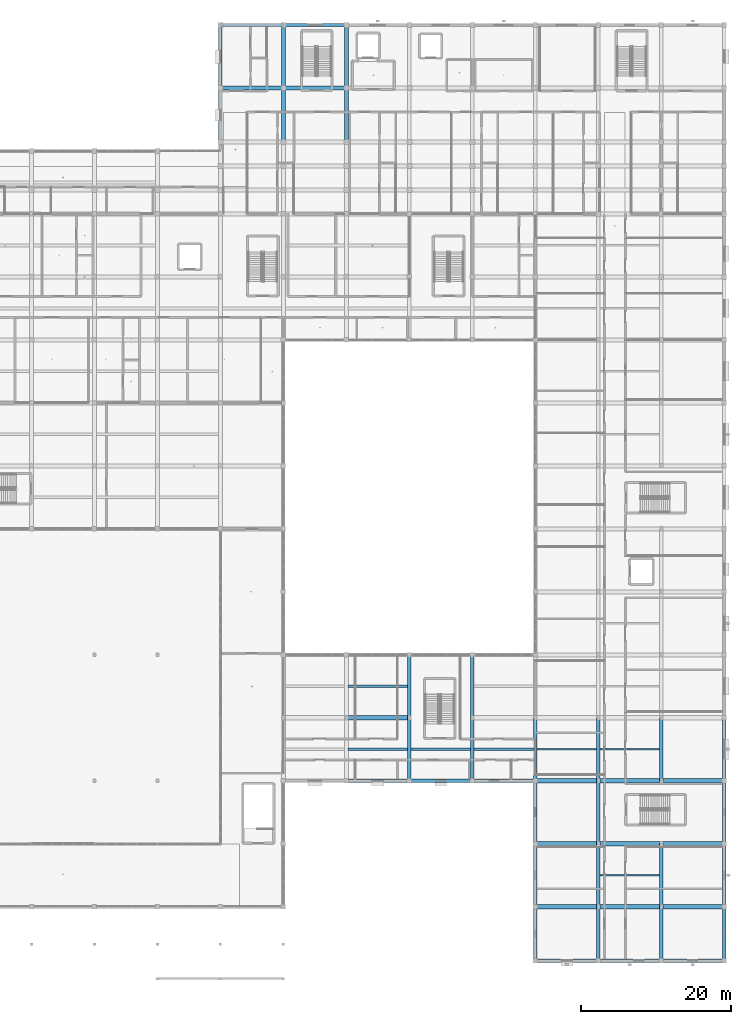
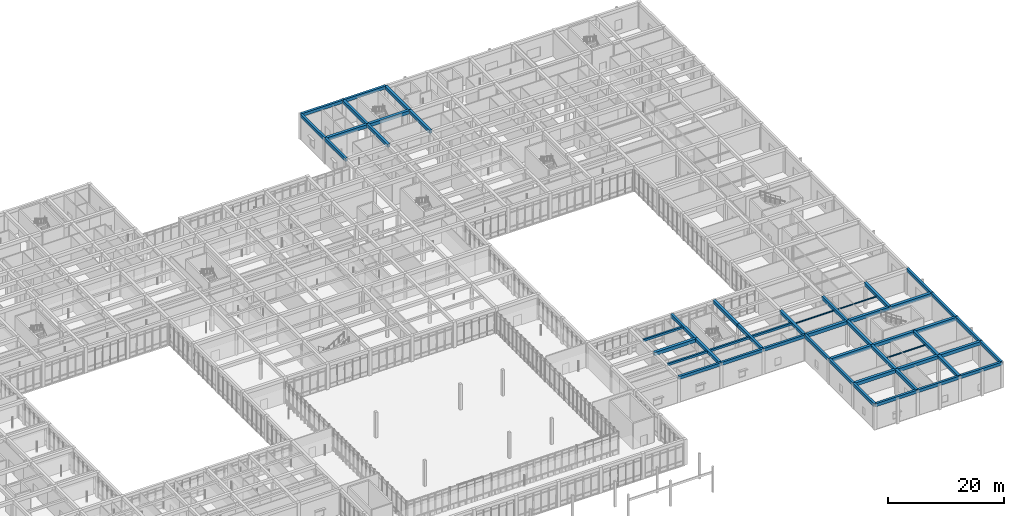
# One storey, part 45 of 157: 52 beams.
"""IFC4 building model written with IfcOpenShell, lengths in metres."""

from ifc_helpers import new_model, si_unit, direction, frame, origin, origin_2d, place, context, subcontext, project, spatial, rectangle, i_section, extrude, material, material_profile, profile_set, type_object, element, save


model = new_model("IFC4")

# Units and contexts
model_context = context("Model", 3, precision=1e-05, world=origin(), true_north=direction((0.0, 1.0)))
body_context = subcontext(model_context, "Body", "Model", "MODEL_VIEW")
ifc_project = project(units=[si_unit("LENGTHUNIT", "METRE"), si_unit("AREAUNIT", "SQUARE_METRE"), si_unit("VOLUMEUNIT", "CUBIC_METRE"), si_unit("PLANEANGLEUNIT", "RADIAN"), si_unit("MASSUNIT", "GRAM", prefix="KILO")], contexts=[model_context])

# Site, building, storey
site_placement = place(None, origin())
site = spatial("IfcSite", under=ifc_project, at=site_placement, CompositionType="ELEMENT")
building_placement = place(site_placement, origin())
building = spatial("IfcBuilding", under=site, at=building_placement, Name="Varncliffe General Hospital", CompositionType="ELEMENT")
storey_placement = place(building_placement, frame((0.0, 0.0, 5.39990234375)))
storey = spatial("IfcBuildingStorey", under=building, at=storey_placement, Name="L01", CompositionType="ELEMENT", Elevation=5.39990234375)

# Beams
ifc_material_1 = material(Name="Concrete C35/45 (CSA A23.1 35 MPa)", Category="concrete")
ifc_material_profile_1 = material_profile(ifc_material_1, rectangle(XDim=0.5, YDim=0.64990234375, at=origin_2d()), Name="RC 500x650")
ifc_profile_set_1 = profile_set([ifc_material_profile_1], Name="Concrete C35/45 (CSA A23.1 35 MPa)")
beam_type_1 = type_object("IfcBeamType", Name="Beam B29 (Int RC 500x650)", PredefinedType="BEAM", material=ifc_profile_set_1)
beam_1_placement = place(storey_placement, frame((117.60009765625, 109.199951171875, 5.0751953125), z_axis=(0.0, 1.0, 0.0), x_axis=(-1.0, 0.0, 0.0)))
element("IfcBeam", 1, at=beam_1_placement, inside=storey, type_object=beam_type_1, Name="L01 Primary Beam B29-431", PredefinedType="BEAM", context=body_context, shape_type="SweptSolid", body=[
    extrude(rectangle(XDim=0.5, YDim=0.64990234375, at=origin_2d()), origin(), (0.0, 0.0, 1.0), 7.199951171875),
])
beam_2_placement = place(storey_placement, frame((117.60009765625, 116.39990234375, 5.0751953125), z_axis=(0.0, 1.0, 0.0), x_axis=(-1.0, 0.0, 0.0)))
element("IfcBeam", 2, at=beam_2_placement, inside=storey, type_object=beam_type_1, Name="L01 Primary Beam B29-432", PredefinedType="BEAM", context=body_context, shape_type="SweptSolid", body=[
    extrude(rectangle(XDim=0.5, YDim=0.64990234375, at=origin_2d()), origin(), (0.0, 0.0, 1.0), 8.400146484375),
])
beam_3_placement = place(storey_placement, frame((126.0, 109.199951171875, 5.0751953125), z_axis=(0.0, 1.0, 0.0), x_axis=(-1.0, 0.0, 0.0)))
element("IfcBeam", 3, at=beam_3_placement, inside=storey, type_object=beam_type_1, Name="L01 Primary Beam B29-440", PredefinedType="BEAM", context=body_context, shape_type="SweptSolid", body=[
    extrude(rectangle(XDim=0.5, YDim=0.64990234375, at=origin_2d()), origin(), (0.0, 0.0, 1.0), 7.199951171875),
])
beam_4_placement = place(storey_placement, frame((126.0, 116.39990234375, 5.0751953125), z_axis=(0.0, 1.0, 0.0), x_axis=(-1.0, 0.0, 0.0)))
element("IfcBeam", 4, at=beam_4_placement, inside=storey, type_object=beam_type_1, Name="L01 Primary Beam B29-441", PredefinedType="BEAM", context=body_context, shape_type="SweptSolid", body=[
    extrude(rectangle(XDim=0.5, YDim=0.64990234375, at=origin_2d()), origin(), (0.0, 0.0, 1.0), 8.400146484375),
])
beam_5_placement = place(storey_placement, frame((134.39990234375, 24.0, 5.0751953125), z_axis=(0.0, 1.0, 0.0), x_axis=(-1.0, 0.0, 0.0)))
element("IfcBeam", 5, at=beam_5_placement, inside=storey, type_object=beam_type_1, Name="L01 Primary Beam B29-442", PredefinedType="BEAM", context=body_context, shape_type="SweptSolid", body=[
    extrude(rectangle(XDim=0.5, YDim=0.64990234375, at=origin_2d()), origin(), (0.0, 0.0, 1.0), 8.39990234375),
])
beam_6_placement = place(storey_placement, frame((134.39990234375, 32.39990234375, 5.0751953125), z_axis=(0.0, 1.0, 0.0), x_axis=(-1.0, 0.0, 0.0)))
element("IfcBeam", 6, at=beam_6_placement, inside=storey, type_object=beam_type_1, Name="L01 Primary Beam B29-443", PredefinedType="BEAM", context=body_context, shape_type="SweptSolid", body=[
    extrude(rectangle(XDim=0.5, YDim=0.64990234375, at=origin_2d()), origin(), (0.0, 0.0, 1.0), 8.400146484375),
])
beam_7_placement = place(storey_placement, frame((142.800048828125, 24.0, 5.0751953125), z_axis=(0.0, 1.0, 0.0), x_axis=(-1.0, 0.0, 0.0)))
element("IfcBeam", 7, at=beam_7_placement, inside=storey, type_object=beam_type_1, Name="L01 Primary Beam B29-451", PredefinedType="BEAM", context=body_context, shape_type="SweptSolid", body=[
    extrude(rectangle(XDim=0.5, YDim=0.64990234375, at=origin_2d()), origin(), (0.0, 0.0, 1.0), 8.39990234375),
])
beam_8_placement = place(storey_placement, frame((142.800048828125, 32.39990234375, 5.0751953125), z_axis=(0.0, 1.0, 0.0), x_axis=(-1.0, 0.0, 0.0)))
element("IfcBeam", 8, at=beam_8_placement, inside=storey, type_object=beam_type_1, Name="L01 Primary Beam B29-452", PredefinedType="BEAM", context=body_context, shape_type="SweptSolid", body=[
    extrude(rectangle(XDim=0.5, YDim=0.64990234375, at=origin_2d()), origin(), (0.0, 0.0, 1.0), 8.400146484375),
])
beam_9_placement = place(storey_placement, frame((151.199951171875, 24.0, 5.0751953125), z_axis=(0.0, 1.0, 0.0), x_axis=(-1.0, 0.0, 0.0)))
element("IfcBeam", 9, at=beam_9_placement, inside=storey, type_object=beam_type_1, Name="L01 Primary Beam B29-463", PredefinedType="BEAM", context=body_context, shape_type="SweptSolid", body=[
    extrude(rectangle(XDim=0.5, YDim=0.64990234375, at=origin_2d()), origin(), (0.0, 0.0, 1.0), 8.39990234375),
])
beam_10_placement = place(storey_placement, frame((159.60009765625, 0.0, 5.0751953125), z_axis=(0.0, 1.0, 0.0), x_axis=(-1.0, 0.0, 0.0)))
element("IfcBeam", 10, at=beam_10_placement, inside=storey, type_object=beam_type_1, Name="L01 Primary Beam B29-477", PredefinedType="BEAM", context=body_context, shape_type="SweptSolid", body=[
    extrude(rectangle(XDim=0.5, YDim=0.64990234375, at=origin_2d()), origin(), (0.0, 0.0, 1.0), 7.199951171875),
])
beam_11_placement = place(storey_placement, frame((159.60009765625, 7.199951171875, 5.0751953125), z_axis=(0.0, 1.0, 0.0), x_axis=(-1.0, 0.0, 0.0)))
element("IfcBeam", 11, at=beam_11_placement, inside=storey, type_object=beam_type_1, Name="L01 Primary Beam B29-478", PredefinedType="BEAM", context=body_context, shape_type="SweptSolid", body=[
    extrude(rectangle(XDim=0.5, YDim=0.64990234375, at=origin_2d()), origin(), (0.0, 0.0, 1.0), 8.400146484375),
])
for number, where, z_axis, x_axis, name in (
    (12, (159.60009765625, 15.60009765625, 5.0751953125), (0.0, 1.0, 0.0), (-1.0, 0.0, 0.0), "L01 Primary Beam B29-479"),
    (13, (159.60009765625, 24.0, 5.0751953125), (0.0, 1.0, 0.0), (-1.0, 0.0, 0.0), "L01 Primary Beam B29-480"),
):
    element("IfcBeam", number, at=place(storey_placement, frame(where, z_axis=z_axis, x_axis=x_axis)), inside=storey, type_object=beam_type_1, Name=name, PredefinedType="BEAM", context=body_context, shape_type="SweptSolid", body=[
        extrude(rectangle(XDim=0.5, YDim=0.64990234375, at=origin_2d()), origin(), (0.0, 0.0, 1.0), 8.39990234375),
    ])
beam_12_placement = place(storey_placement, frame((168.0, 0.0, 5.0751953125), z_axis=(0.0, 1.0, 0.0), x_axis=(-1.0, 0.0, 0.0)))
element("IfcBeam", 14, at=beam_12_placement, inside=storey, type_object=beam_type_1, Name="L01 Primary Beam B29-494", PredefinedType="BEAM", context=body_context, shape_type="SweptSolid", body=[
    extrude(rectangle(XDim=0.5, YDim=0.64990234375, at=origin_2d()), origin(), (0.0, 0.0, 1.0), 7.199951171875),
])
beam_13_placement = place(storey_placement, frame((168.0, 7.199951171875, 5.0751953125), z_axis=(0.0, 1.0, 0.0), x_axis=(-1.0, 0.0, 0.0)))
element("IfcBeam", 15, at=beam_13_placement, inside=storey, type_object=beam_type_1, Name="L01 Primary Beam B29-495", PredefinedType="BEAM", context=body_context, shape_type="SweptSolid", body=[
    extrude(rectangle(XDim=0.5, YDim=0.64990234375, at=origin_2d()), origin(), (0.0, 0.0, 1.0), 8.400146484375),
])
beam_14_placement = place(storey_placement, frame((168.0, 24.0, 5.0751953125), z_axis=(0.0, 1.0, 0.0), x_axis=(-1.0, 0.0, 0.0)))
element("IfcBeam", 16, at=beam_14_placement, inside=storey, type_object=beam_type_1, Name="L01 Primary Beam B29-496", PredefinedType="BEAM", context=body_context, shape_type="SweptSolid", body=[
    extrude(rectangle(XDim=0.5, YDim=0.64990234375, at=origin_2d()), origin(), (0.0, 0.0, 1.0), 8.39990234375),
])
ifc_material_profile_2 = material_profile(ifc_material_1, rectangle(XDim=0.550048828125, YDim=0.699951171875, at=origin_2d()), Name="RC 550x700")
ifc_profile_set_2 = profile_set([ifc_material_profile_2], Name="Concrete C35/45 (CSA A23.1 35 MPa)")
beam_type_2 = type_object("IfcBeamType", Name="Beam B35 (Int RC 550x700)", PredefinedType="BEAM", material=ifc_profile_set_2)
beam_15_placement = place(storey_placement, frame((151.199951171875, 7.199951171875, 5.050048828125), z_axis=(1.0, 0.0, 0.0), x_axis=(0.0, 1.0, 0.0)))
element("IfcBeam", 17, at=beam_15_placement, inside=storey, type_object=beam_type_2, Name="L01 Primary Beam B35-17", PredefinedType="BEAM", context=body_context, shape_type="SweptSolid", body=[
    extrude(rectangle(XDim=0.550048828125, YDim=0.699951171875, at=origin_2d()), origin(), (0.0, 0.0, 1.0), 8.400146484375),
])
for number, where, z_axis, x_axis, name in (
    (18, (159.60009765625, 7.199951171875, 5.050048828125), (1.0, 0.0, 0.0), (0.0, 1.0, 0.0), "L01 Primary Beam B35-18"),
    (19, (168.0, 7.199951171875, 5.050048828125), (1.0, 0.0, 0.0), (0.0, 1.0, 0.0), "L01 Primary Beam B35-19"),
):
    element("IfcBeam", number, at=place(storey_placement, frame(where, z_axis=z_axis, x_axis=x_axis)), inside=storey, type_object=beam_type_2, Name=name, PredefinedType="BEAM", context=body_context, shape_type="SweptSolid", body=[
        extrude(rectangle(XDim=0.550048828125, YDim=0.699951171875, at=origin_2d()), origin(), (0.0, 0.0, 1.0), 8.39990234375),
    ])
beam_16_placement = place(storey_placement, frame((151.199951171875, 15.60009765625, 5.050048828125), z_axis=(1.0, 0.0, 0.0), x_axis=(0.0, 1.0, 0.0)))
element("IfcBeam", 20, at=beam_16_placement, inside=storey, type_object=beam_type_2, Name="L01 Primary Beam B35-23", PredefinedType="BEAM", context=body_context, shape_type="SweptSolid", body=[
    extrude(rectangle(XDim=0.550048828125, YDim=0.699951171875, at=origin_2d()), origin(), (0.0, 0.0, 1.0), 8.400146484375),
])
for number, where, z_axis, x_axis, name in (
    (21, (159.60009765625, 15.60009765625, 5.050048828125), (1.0, 0.0, 0.0), (0.0, 1.0, 0.0), "L01 Primary Beam B35-24"),
    (22, (168.0, 15.60009765625, 5.050048828125), (1.0, 0.0, 0.0), (0.0, 1.0, 0.0), "L01 Primary Beam B35-25"),
):
    element("IfcBeam", number, at=place(storey_placement, frame(where, z_axis=z_axis, x_axis=x_axis)), inside=storey, type_object=beam_type_2, Name=name, PredefinedType="BEAM", context=body_context, shape_type="SweptSolid", body=[
        extrude(rectangle(XDim=0.550048828125, YDim=0.699951171875, at=origin_2d()), origin(), (0.0, 0.0, 1.0), 8.39990234375),
    ])
beam_17_placement = place(storey_placement, frame((151.199951171875, 24.0, 5.050048828125), z_axis=(1.0, 0.0, 0.0), x_axis=(0.0, 1.0, 0.0)))
element("IfcBeam", 23, at=beam_17_placement, inside=storey, type_object=beam_type_2, Name="L01 Primary Beam B35-37", PredefinedType="BEAM", context=body_context, shape_type="SweptSolid", body=[
    extrude(rectangle(XDim=0.550048828125, YDim=0.699951171875, at=origin_2d()), origin(), (0.0, 0.0, 1.0), 8.400146484375),
])
for number, where, z_axis, x_axis, name in (
    (24, (159.60009765625, 24.0, 5.050048828125), (1.0, 0.0, 0.0), (0.0, 1.0, 0.0), "L01 Primary Beam B35-38"),
    (25, (168.0, 24.0, 5.050048828125), (1.0, 0.0, 0.0), (0.0, 1.0, 0.0), "L01 Primary Beam B35-39"),
    (26, (126.0, 32.39990234375, 5.050048828125), (1.0, 0.0, 0.0), (0.0, 1.0, 0.0), "L01 Primary Beam B35-48"),
):
    element("IfcBeam", number, at=place(storey_placement, frame(where, z_axis=z_axis, x_axis=x_axis)), inside=storey, type_object=beam_type_2, Name=name, PredefinedType="BEAM", context=body_context, shape_type="SweptSolid", body=[
        extrude(rectangle(XDim=0.550048828125, YDim=0.699951171875, at=origin_2d()), origin(), (0.0, 0.0, 1.0), 8.39990234375),
    ])
beam_18_placement = place(storey_placement, frame((109.199951171875, 116.39990234375, 5.050048828125), z_axis=(1.0, 0.0, 0.0), x_axis=(0.0, 1.0, 0.0)))
element("IfcBeam", 27, at=beam_18_placement, inside=storey, type_object=beam_type_2, Name="L01 Primary Beam B35-235", PredefinedType="BEAM", context=body_context, shape_type="SweptSolid", body=[
    extrude(rectangle(XDim=0.550048828125, YDim=0.699951171875, at=origin_2d()), origin(), (0.0, 0.0, 1.0), 8.400146484375),
])
beam_19_placement = place(storey_placement, frame((117.60009765625, 116.39990234375, 5.050048828125), z_axis=(1.0, 0.0, 0.0), x_axis=(0.0, 1.0, 0.0)))
element("IfcBeam", 28, at=beam_19_placement, inside=storey, type_object=beam_type_2, Name="L01 Primary Beam B35-236", PredefinedType="BEAM", context=body_context, shape_type="SweptSolid", body=[
    extrude(rectangle(XDim=0.550048828125, YDim=0.699951171875, at=origin_2d()), origin(), (0.0, 0.0, 1.0), 8.39990234375),
])
ifc_material_2 = material(Name="Steel S355 (CSA G40.21 350W)", Category="steel")
ifc_material_profile_3 = material_profile(ifc_material_2, i_section(OverallWidth=0.2041015625, OverallDepth=0.2060546875, WebThickness=0.0078125, FlangeThickness=0.0126953125, FilletRadius=0.010986328125, at=origin_2d()), Name="W200x52")
ifc_profile_set_3 = profile_set([ifc_material_profile_3], Name="Steel S355 (CSA G40.21 350W)")
beam_type_3 = type_object("IfcBeamType", Name="Joist J27 (Int W200x52)", PredefinedType="JOIST", material=ifc_profile_set_3)
for number, where, z_axis, x_axis, name in (
    (29, (151.447998046875, 28.199951171875, 4.93701171875), (1.0, 0.0, 0.0), (0.0, 1.0, 0.0), "L01 Secondary Floor Rib J27-72"),
    (30, (159.847900390625, 11.39990234375, 4.93701171875), (1.0, 0.0, 0.0), (0.0, 1.0, 0.0), "L01 Secondary Floor Rib J27-76"),
    (31, (159.847900390625, 28.199951171875, 4.93701171875), (1.0, 0.0, 0.0), (0.0, 1.0, 0.0), "L01 Secondary Floor Rib J27-77"),
):
    element("IfcBeam", number, at=place(storey_placement, frame(where, z_axis=z_axis, x_axis=x_axis)), inside=storey, type_object=beam_type_3, Name=name, PredefinedType="JOIST", context=body_context, shape_type="SweptSolid", body=[
        extrude(i_section(OverallWidth=0.2041015625, OverallDepth=0.2060546875, WebThickness=0.0078125, FlangeThickness=0.0126953125, FilletRadius=0.010986328125, at=origin_2d()), origin(), (0.0, 0.0, 1.0), 7.904052734375),
    ])
ifc_material_profile_4 = material_profile(ifc_material_1, rectangle(XDim=0.35009765625, YDim=0.449951171875, at=origin_2d()), Name="RC 350x450")
ifc_profile_set_4 = profile_set([ifc_material_profile_4], Name="Concrete C35/45 (CSA A23.1 35 MPa)")
beam_type_4 = type_object("IfcBeamType", Name="Joist J55 (Int RC 350x450)", PredefinedType="JOIST", material=ifc_profile_set_4)
for number, where, z_axis, x_axis, name in (
    (32, (126.248046875, 28.199951171875, 5.175048828125), (1.0, 0.0, 0.0), (0.0, 1.0, 0.0), "L01 Secondary Floor Rib J55-62"),
    (33, (126.248046875, 36.60009765625, 5.175048828125), (1.0, 0.0, 0.0), (0.0, 1.0, 0.0), "L01 Secondary Floor Rib J55-63"),
    (34, (134.64794921875, 28.199951171875, 5.175048828125), (1.0, 0.0, 0.0), (0.0, 1.0, 0.0), "L01 Secondary Floor Rib J55-66"),
):
    element("IfcBeam", number, at=place(storey_placement, frame(where, z_axis=z_axis, x_axis=x_axis)), inside=storey, type_object=beam_type_4, Name=name, PredefinedType="JOIST", context=body_context, shape_type="SweptSolid", body=[
        extrude(rectangle(XDim=0.35009765625, YDim=0.449951171875, at=origin_2d()), origin(), (0.0, 0.0, 1.0), 7.904052734375),
    ])
beam_20_placement = place(storey_placement, frame((143.048095703125, 28.199951171875, 5.175048828125), z_axis=(1.0, 0.0, 0.0), x_axis=(0.0, 1.0, 0.0)))
element("IfcBeam", 35, at=beam_20_placement, inside=storey, type_object=beam_type_4, Name="L01 Secondary Floor Rib J55-68", PredefinedType="JOIST", context=body_context, shape_type="SweptSolid", body=[
    extrude(rectangle(XDim=0.35009765625, YDim=0.449951171875, at=origin_2d()), origin(), (0.0, 0.0, 1.0), 7.90380859375),
])
ifc_material_profile_5 = material_profile(ifc_material_1, rectangle(XDim=0.449951171875, YDim=0.64990234375, at=origin_2d()), Name="RC 450x650")
ifc_profile_set_5 = profile_set([ifc_material_profile_5], Name="Concrete C35/45 (CSA A23.1 35 MPa)")
beam_type_5 = type_object("IfcBeamType", Name="Spandrel SP38 (Ext RC 450x650B)", PredefinedType="SPANDREL", material=ifc_profile_set_5)
beam_21_placement = place(storey_placement, frame((151.199951171875, 0.0, 5.0751953125), z_axis=(1.0, 0.0, 0.0), x_axis=(0.0, 1.0, 0.0)))
element("IfcBeam", 36, at=beam_21_placement, inside=storey, type_object=beam_type_5, Name="L01 Spandrel Beam SP38-4", PredefinedType="SPANDREL", context=body_context, shape_type="SweptSolid", body=[
    extrude(rectangle(XDim=0.449951171875, YDim=0.64990234375, at=origin_2d()), origin(), (0.0, 0.0, 1.0), 8.400146484375),
])
for number, where, z_axis, x_axis, name in (
    (37, (159.60009765625, 0.0, 5.0751953125), (1.0, 0.0, 0.0), (0.0, 1.0, 0.0), "L01 Spandrel Beam SP38-5"),
    (38, (168.0, 0.0, 5.0751953125), (1.0, 0.0, 0.0), (0.0, 1.0, 0.0), "L01 Spandrel Beam SP38-6"),
    (39, (126.0, 24.0, 5.0751953125), (1.0, 0.0, 0.0), (0.0, 1.0, 0.0), "L01 Spandrel Beam SP38-34"),
):
    element("IfcBeam", number, at=place(storey_placement, frame(where, z_axis=z_axis, x_axis=x_axis)), inside=storey, type_object=beam_type_5, Name=name, PredefinedType="SPANDREL", context=body_context, shape_type="SweptSolid", body=[
        extrude(rectangle(XDim=0.449951171875, YDim=0.64990234375, at=origin_2d()), origin(), (0.0, 0.0, 1.0), 8.39990234375),
    ])
beam_22_placement = place(storey_placement, frame((134.39990234375, 24.0, 5.0751953125), z_axis=(1.0, 0.0, 0.0), x_axis=(0.0, 1.0, 0.0)))
element("IfcBeam", 40, at=beam_22_placement, inside=storey, type_object=beam_type_5, Name="L01 Spandrel Beam SP38-35", PredefinedType="SPANDREL", context=body_context, shape_type="SweptSolid", body=[
    extrude(rectangle(XDim=0.449951171875, YDim=0.64990234375, at=origin_2d()), origin(), (0.0, 0.0, 1.0), 8.400146484375),
])
beam_23_placement = place(storey_placement, frame((142.800048828125, 24.0, 5.0751953125), z_axis=(1.0, 0.0, 0.0), x_axis=(0.0, 1.0, 0.0)))
element("IfcBeam", 41, at=beam_23_placement, inside=storey, type_object=beam_type_5, Name="L01 Spandrel Beam SP38-36", PredefinedType="SPANDREL", context=body_context, shape_type="SweptSolid", body=[
    extrude(rectangle(XDim=0.449951171875, YDim=0.64990234375, at=origin_2d()), origin(), (0.0, 0.0, 1.0), 8.39990234375),
])
beam_24_placement = place(storey_placement, frame((109.199951171875, 124.800048828125, 5.0751953125), z_axis=(1.0, 0.0, 0.0), x_axis=(0.0, 1.0, 0.0)))
element("IfcBeam", 42, at=beam_24_placement, inside=storey, type_object=beam_type_5, Name="L01 Spandrel Beam SP38-251", PredefinedType="SPANDREL", context=body_context, shape_type="SweptSolid", body=[
    extrude(rectangle(XDim=0.449951171875, YDim=0.64990234375, at=origin_2d()), origin(), (0.0, 0.0, 1.0), 8.400146484375),
])
beam_25_placement = place(storey_placement, frame((117.60009765625, 124.800048828125, 5.0751953125), z_axis=(1.0, 0.0, 0.0), x_axis=(0.0, 1.0, 0.0)))
element("IfcBeam", 43, at=beam_25_placement, inside=storey, type_object=beam_type_5, Name="L01 Spandrel Beam SP38-252", PredefinedType="SPANDREL", context=body_context, shape_type="SweptSolid", body=[
    extrude(rectangle(XDim=0.449951171875, YDim=0.64990234375, at=origin_2d()), origin(), (0.0, 0.0, 1.0), 8.39990234375),
])
beam_26_placement = place(storey_placement, frame((109.199951171875, 109.199951171875, 5.0751953125), z_axis=(0.0, 1.0, 0.0), x_axis=(-1.0, 0.0, 0.0)))
element("IfcBeam", 44, at=beam_26_placement, inside=storey, type_object=beam_type_5, Name="L01 Spandrel Beam SP38-415", PredefinedType="SPANDREL", context=body_context, shape_type="SweptSolid", body=[
    extrude(rectangle(XDim=0.449951171875, YDim=0.64990234375, at=origin_2d()), origin(), (0.0, 0.0, 1.0), 7.199951171875),
])
beam_27_placement = place(storey_placement, frame((109.199951171875, 116.39990234375, 5.0751953125), z_axis=(0.0, 1.0, 0.0), x_axis=(-1.0, 0.0, 0.0)))
element("IfcBeam", 45, at=beam_27_placement, inside=storey, type_object=beam_type_5, Name="L01 Spandrel Beam SP38-416", PredefinedType="SPANDREL", context=body_context, shape_type="SweptSolid", body=[
    extrude(rectangle(XDim=0.449951171875, YDim=0.64990234375, at=origin_2d()), origin(), (0.0, 0.0, 1.0), 8.400146484375),
])
beam_28_placement = place(storey_placement, frame((151.199951171875, 0.0, 5.0751953125), z_axis=(0.0, 1.0, 0.0), x_axis=(-1.0, 0.0, 0.0)))
element("IfcBeam", 46, at=beam_28_placement, inside=storey, type_object=beam_type_5, Name="L01 Spandrel Beam SP38-460", PredefinedType="SPANDREL", context=body_context, shape_type="SweptSolid", body=[
    extrude(rectangle(XDim=0.449951171875, YDim=0.64990234375, at=origin_2d()), origin(), (0.0, 0.0, 1.0), 7.199951171875),
])
beam_29_placement = place(storey_placement, frame((151.199951171875, 7.199951171875, 5.0751953125), z_axis=(0.0, 1.0, 0.0), x_axis=(-1.0, 0.0, 0.0)))
element("IfcBeam", 47, at=beam_29_placement, inside=storey, type_object=beam_type_5, Name="L01 Spandrel Beam SP38-461", PredefinedType="SPANDREL", context=body_context, shape_type="SweptSolid", body=[
    extrude(rectangle(XDim=0.449951171875, YDim=0.64990234375, at=origin_2d()), origin(), (0.0, 0.0, 1.0), 8.400146484375),
])
beam_30_placement = place(storey_placement, frame((151.199951171875, 15.60009765625, 5.0751953125), z_axis=(0.0, 1.0, 0.0), x_axis=(-1.0, 0.0, 0.0)))
element("IfcBeam", 48, at=beam_30_placement, inside=storey, type_object=beam_type_5, Name="L01 Spandrel Beam SP38-462", PredefinedType="SPANDREL", context=body_context, shape_type="SweptSolid", body=[
    extrude(rectangle(XDim=0.449951171875, YDim=0.64990234375, at=origin_2d()), origin(), (0.0, 0.0, 1.0), 8.39990234375),
])
beam_31_placement = place(storey_placement, frame((176.39990234375, 0.0, 5.0751953125), z_axis=(0.0, 1.0, 0.0), x_axis=(-1.0, 0.0, 0.0)))
element("IfcBeam", 49, at=beam_31_placement, inside=storey, type_object=beam_type_5, Name="L01 Spandrel Beam SP38-509", PredefinedType="SPANDREL", context=body_context, shape_type="SweptSolid", body=[
    extrude(rectangle(XDim=0.449951171875, YDim=0.64990234375, at=origin_2d()), origin(), (0.0, 0.0, 1.0), 7.199951171875),
])
beam_32_placement = place(storey_placement, frame((176.39990234375, 7.199951171875, 5.0751953125), z_axis=(0.0, 1.0, 0.0), x_axis=(-1.0, 0.0, 0.0)))
element("IfcBeam", 50, at=beam_32_placement, inside=storey, type_object=beam_type_5, Name="L01 Spandrel Beam SP38-510", PredefinedType="SPANDREL", context=body_context, shape_type="SweptSolid", body=[
    extrude(rectangle(XDim=0.449951171875, YDim=0.64990234375, at=origin_2d()), origin(), (0.0, 0.0, 1.0), 8.400146484375),
])
for number, where, z_axis, x_axis, name in (
    (51, (176.39990234375, 15.60009765625, 5.0751953125), (0.0, 1.0, 0.0), (-1.0, 0.0, 0.0), "L01 Spandrel Beam SP38-511"),
    (52, (176.39990234375, 24.0, 5.0751953125), (0.0, 1.0, 0.0), (-1.0, 0.0, 0.0), "L01 Spandrel Beam SP38-512"),
):
    element("IfcBeam", number, at=place(storey_placement, frame(where, z_axis=z_axis, x_axis=x_axis)), inside=storey, type_object=beam_type_5, Name=name, PredefinedType="SPANDREL", context=body_context, shape_type="SweptSolid", body=[
        extrude(rectangle(XDim=0.449951171875, YDim=0.64990234375, at=origin_2d()), origin(), (0.0, 0.0, 1.0), 8.39990234375),
    ])

save(model, "model.ifc")
